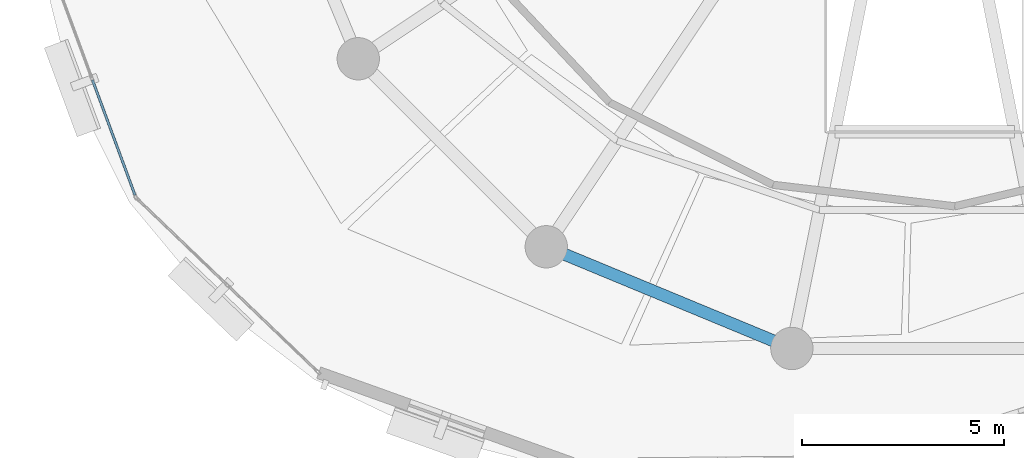
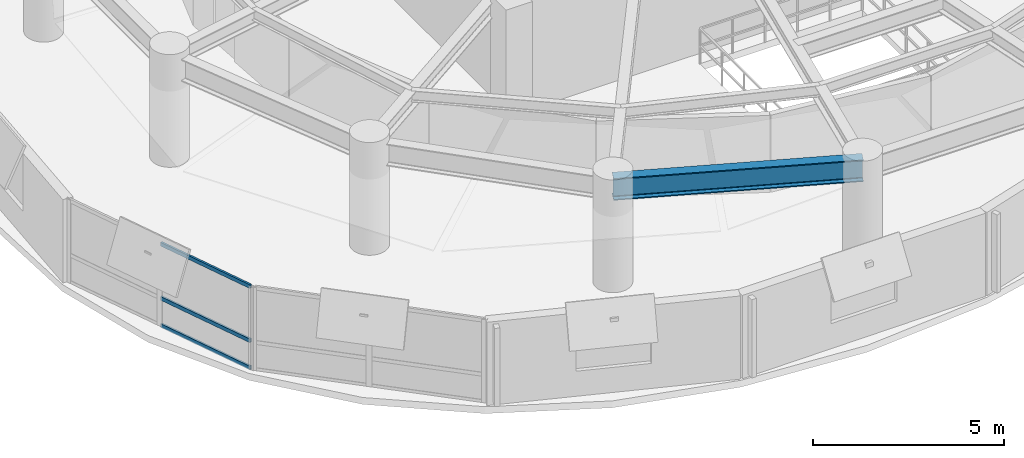
# One storey, part 3 of 12: 3 members, 1 beam, 1 element without a shape of its own.
"""IFC4 building model written with IfcOpenShell, lengths in metres."""

from ifc_helpers import new_model, si_unit, direction, frame, origin, origin_2d, place, context, subcontext, project, spatial, hollow_rectangle, i_section, extrude, material, layer, layer_set, material_profile, profile_set, type_object, element, aggregate, save


model = new_model("IFC4")

# Units and contexts
model_context = context("Model", 3, precision=1e-05, world=origin(), true_north=direction((0.0, 1.0)))
body_context = subcontext(model_context, "Body", "Model", "MODEL_VIEW")
ifc_project = project(units=[si_unit("LENGTHUNIT", "METRE"), si_unit("AREAUNIT", "SQUARE_METRE"), si_unit("VOLUMEUNIT", "CUBIC_METRE"), si_unit("PLANEANGLEUNIT", "RADIAN"), si_unit("MASSUNIT", "GRAM", prefix="KILO"), si_unit("THERMODYNAMICTEMPERATUREUNIT", "KELVIN"), si_unit("POWERUNIT", "WATT")], contexts=[model_context])

# Site, building, storey
site_placement = place(None, origin())
site = spatial("IfcSite", under=ifc_project, at=site_placement, CompositionType="ELEMENT")
building_placement = place(site_placement, origin())
building = spatial("IfcBuilding", under=site, at=building_placement, Name="Ocrelia Relay Tower", CompositionType="ELEMENT")
storey_placement = place(building_placement, frame((0.0, 0.0, 173.60009765625)))
storey = spatial("IfcBuildingStorey", under=building, at=storey_placement, Name="L41", CompositionType="ELEMENT", Elevation=173.60009765625)

# Beam
ifc_material_1 = material(Name="Steel S355", Category="steel")
ifc_material_profile_1 = material_profile(ifc_material_1, i_section(OverallWidth=0.300048828125, OverallDepth=0.699951171875, WebThickness=0.01708984375, FlangeThickness=0.031982421875, FilletRadius=0.027099609375, at=origin_2d()), Name="HEB 700")
ifc_profile_set_1 = profile_set([ifc_material_profile_1], Name="Steel S355")
beam_type = type_object("IfcBeamType", Name="BM-HEB700", PredefinedType="BEAM", material=ifc_profile_set_1)
beam_placement = place(storey_placement, frame((24.61083984375, 11.9482421875, 3.02978515625), z_axis=(0.923877844151, -0.382687508402, 0.0), x_axis=(0.382687508402, 0.923877844151, 0.0)))
element("IfcBeam", 1, at=beam_placement, inside=storey, type_object=beam_type, Name="L41 Perimeter Spandrel Beam S11", PredefinedType="BEAM", context=body_context, shape_type="SweptSolid", body=[
    extrude(i_section(OverallWidth=0.300048828125, OverallDepth=0.699951171875, WebThickness=0.01708984375, FlangeThickness=0.031982421875, FilletRadius=0.027099609375, at=origin_2d()), origin(), (0.0, 0.0, 1.0), 6.593994140625),
])

# Curtain wall, members
ifc_material_2 = material(Name="Aluminium and solar-control low-E glass", Category="aluminium")
ifc_layer = layer(ifc_material_2, 0.179931640625, Name="Aluminium and solar-control low-E glass")
ifc_layer_set = layer_set([ifc_layer], Name="Aluminium and solar-control low-E glass")
curtain_wall_type = type_object("IfcCurtainWallType", Name="CW-SYS-Z3-CLOU", PredefinedType="NOTDEFINED", material=ifc_layer_set)
curtain_wall_placement = place(storey_placement, origin())
curtain_wall = element("IfcCurtainWall", 2, at=curtain_wall_placement, inside=storey, type_object=curtain_wall_type, Name="L41 Elliptical Tower Curtain Wall Bay 09", PredefinedType="NOTDEFINED")
ifc_material_3 = material(Name="Anodised bronze aluminium", Category="aluminium")
ifc_material_profile_2 = material_profile(ifc_material_3, hollow_rectangle(XDim=0.06005859375, YDim=0.1201171875, WallThickness=0.0048828125, at=origin_2d()), Name="CW-TRN-120x60")
ifc_profile_set_2 = profile_set([ifc_material_profile_2], Name="Anodised bronze aluminium")
member_type = type_object("IfcMemberType", Name="CW-SYS-Z3-CLOU-TRN", PredefinedType="USERDEFINED", material=ifc_profile_set_2)
member_1_placement = place(storey_placement, frame((13.353759765625, 16.086181640625, 0.02978515625), z_axis=(0.346504392463, -0.938048349502, 0.0), x_axis=(0.938048349502, 0.346504392463, 0.0)))
member_1 = element("IfcMember", 3, at=member_1_placement, type_object=member_type, Name="CW-Z3 transom 2.1", ObjectType="TRANSOM", PredefinedType="USERDEFINED", context=body_context, shape_type="SweptSolid", body=[
    extrude(hollow_rectangle(XDim=0.06005859375, YDim=0.1201171875, WallThickness=0.0048828125, at=origin_2d()), origin(), (0.0, 0.0, 1.0), 3.043701171875),
])
member_2_placement = place(storey_placement, frame((13.353759765625, 16.086181640625, 0.89990234375), z_axis=(0.346504392463, -0.938048349502, 0.0), x_axis=(0.938048349502, 0.346504392463, 0.0)))
member_2 = element("IfcMember", 4, at=member_2_placement, type_object=member_type, Name="CW-Z3 transom 2.2", ObjectType="TRANSOM", PredefinedType="USERDEFINED", context=body_context, shape_type="SweptSolid", body=[
    extrude(hollow_rectangle(XDim=0.06005859375, YDim=0.1201171875, WallThickness=0.0048828125, at=origin_2d()), origin(), (0.0, 0.0, 1.0), 3.043701171875),
])
member_3_placement = place(storey_placement, frame((13.353759765625, 16.086181640625, 2.6298828125), z_axis=(0.346504392463, -0.938048349502, 0.0), x_axis=(0.938048349502, 0.346504392463, 0.0)))
member_3 = element("IfcMember", 5, at=member_3_placement, type_object=member_type, Name="CW-Z3 transom 2.3", ObjectType="TRANSOM", PredefinedType="USERDEFINED", context=body_context, shape_type="SweptSolid", body=[
    extrude(hollow_rectangle(XDim=0.06005859375, YDim=0.1201171875, WallThickness=0.0048828125, at=origin_2d()), origin(), (0.0, 0.0, 1.0), 3.043701171875),
])
aggregate(curtain_wall, [member_1, member_2, member_3])

save(model, "model.ifc")
